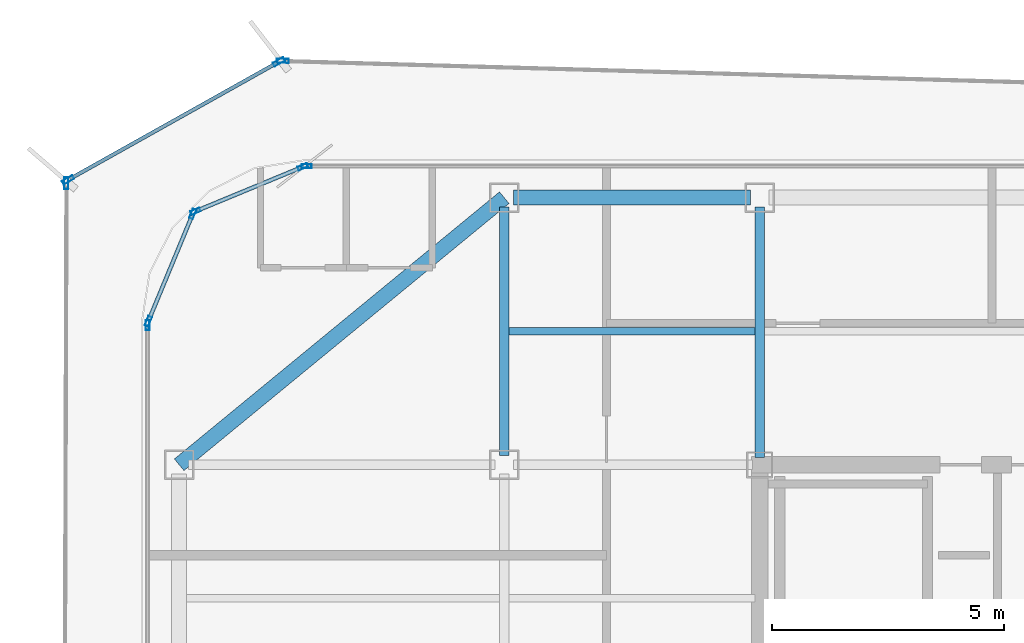
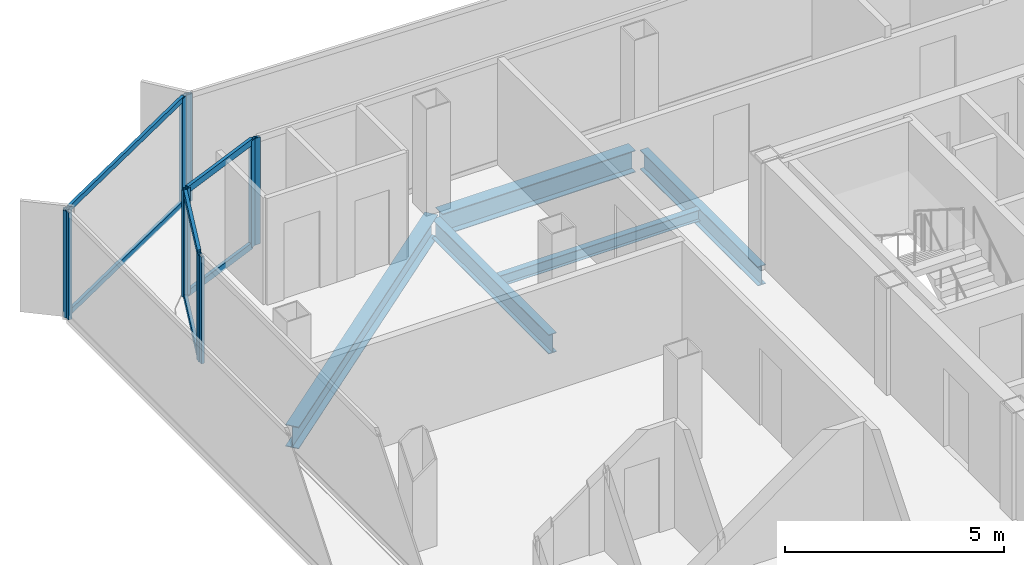
# One storey, part 6 of 14: 16 members, 5 beams, 7 elements without a shape of their own.
"""IFC4 building model written with IfcOpenShell, lengths in metres."""

from ifc_helpers import new_model, si_unit, direction, frame, origin, origin_2d, place, context, subcontext, project, spatial, hollow_rectangle, i_section, extrude, source, transform, mapped, material, layer, layer_set, material_profile, profile_set, type_object, element, aggregate, save


model = new_model("IFC4")

# Units and contexts
model_context = context("Model", 3, precision=1e-05, world=origin(), true_north=direction((0.0, 1.0)))
body_context = subcontext(model_context, "Body", "Model", "MODEL_VIEW")
ifc_project = project(units=[si_unit("LENGTHUNIT", "METRE"), si_unit("AREAUNIT", "SQUARE_METRE"), si_unit("VOLUMEUNIT", "CUBIC_METRE"), si_unit("PLANEANGLEUNIT", "RADIAN"), si_unit("MASSUNIT", "GRAM", prefix="KILO")], contexts=[model_context])

# Site, building, storey
site_placement = place(None, origin())
site = spatial("IfcSite", under=ifc_project, at=site_placement, CompositionType="ELEMENT")
building_placement = place(site_placement, origin())
building = spatial("IfcBuilding", under=site, at=building_placement, Name="Kolveth Station Tower", CompositionType="ELEMENT")
storey_placement = place(building_placement, frame((0.0, 0.0, 226.5)))
storey = spatial("IfcBuildingStorey", under=building, at=storey_placement, Name="L64", CompositionType="ELEMENT", Elevation=226.5)

# Beams
ifc_material_1 = material(Name="Steel S355", Category="steel")
ifc_material_profile_1 = material_profile(ifc_material_1, i_section(OverallWidth=0.323974609375, OverallDepth=0.611083984375, WebThickness=0.0126953125, FlangeThickness=0.01904296875, at=origin_2d()), Name="W610x155")
ifc_profile_set_1 = profile_set([ifc_material_profile_1], Name="Steel S355")
beam_type_1 = type_object("IfcBeamType", Name="Beam_SP2", PredefinedType="SPANDREL", material=ifc_profile_set_1)
shared_shape_1 = source(origin(), body_context, "Body", "SweptSolid", [
    extrude(i_section(OverallWidth=0.323974609375, OverallDepth=0.611083984375, WebThickness=0.0126953125, FlangeThickness=0.01904296875, at=origin_2d()), origin(), (0.0, 0.0, 1.0), 9.058837890625),
])
beam_1_placement = place(storey_placement, frame((13.0, 34.5, -0.525390625), z_axis=(-0.772726254525, -0.63473942336, 0.0), x_axis=(0.63473942336, -0.772726254525, 0.0)))
element("IfcBeam", 1, at=beam_1_placement, inside=storey, type_object=beam_type_1, Name="L64 Corner Edge Girder BM-L64-CNR-NW", PredefinedType="SPANDREL", context=body_context, shape_type="MappedRepresentation", body=[
    mapped(shared_shape_1, transform((0.0, 0.0, 0.0), x_axis=(1.0, 0.0, 0.0), y_axis=(0.0, 1.0, 0.0), z_axis=(0.0, 0.0, 1.0), scale=1.0)),
])
shared_shape_2 = source(origin(), body_context, "Body", "SweptSolid", [
    extrude(i_section(OverallWidth=0.323974609375, OverallDepth=0.611083984375, WebThickness=0.0126953125, FlangeThickness=0.01904296875, at=origin_2d()), origin(), (0.0, 0.0, 1.0), 5.10009765625),
])
beam_2_placement = place(storey_placement, frame((13.199951171875, 34.5, -0.525390625), z_axis=(1.0, 0.0, 0.0), x_axis=(0.0, 1.0, 0.0)))
element("IfcBeam", 2, at=beam_2_placement, inside=storey, type_object=beam_type_1, Name="L64 Perimeter Spandrel BM-L64-PN-1", PredefinedType="SPANDREL", context=body_context, shape_type="MappedRepresentation", body=[
    mapped(shared_shape_2, transform((0.0, 0.0, 0.0), x_axis=(1.0, 0.0, 0.0), y_axis=(0.0, 1.0, 0.0), z_axis=(0.0, 0.0, 1.0), scale=1.0)),
])
ifc_material_profile_2 = material_profile(ifc_material_1, i_section(OverallWidth=0.2099609375, OverallDepth=0.537109375, WebThickness=0.010986328125, FlangeThickness=0.017333984375, at=origin_2d()), Name="W530x101")
ifc_profile_set_2 = profile_set([ifc_material_profile_2], Name="Steel S355")
beam_type_2 = type_object("IfcBeamType", Name="Beam_B6", PredefinedType="BEAM", material=ifc_profile_set_2)
shared_shape_3 = source(origin(), body_context, "Body", "SweptSolid", [
    extrude(i_section(OverallWidth=0.2099609375, OverallDepth=0.537109375, WebThickness=0.010986328125, FlangeThickness=0.017333984375, at=origin_2d()), origin(), (0.0, 0.0, 1.0), 5.35009765625),
])
beam_3_placement = place(storey_placement, frame((13.0, 28.949951171875, -0.488525390625), z_axis=(0.0, 1.0, 0.0), x_axis=(-1.0, 0.0, 0.0)))
element("IfcBeam", 3, at=beam_3_placement, inside=storey, type_object=beam_type_2, Name="L64 Primary Girder BM-L64-GX130-6", PredefinedType="BEAM", context=body_context, shape_type="MappedRepresentation", body=[
    mapped(shared_shape_3, transform((0.0, 0.0, 0.0), x_axis=(1.0, 0.0, 0.0), y_axis=(0.0, 1.0, 0.0), z_axis=(0.0, 0.0, 1.0), scale=1.0)),
])
shared_shape_4 = source(origin(), body_context, "Body", "SweptSolid", [
    extrude(i_section(OverallWidth=0.2099609375, OverallDepth=0.537109375, WebThickness=0.010986328125, FlangeThickness=0.017333984375, at=origin_2d()), origin(), (0.0, 0.0, 1.0), 5.39013671875),
])
beam_4_placement = place(storey_placement, frame((18.5, 28.909912109375, -0.488525390625), z_axis=(0.0, 1.0, 0.0), x_axis=(-1.0, 0.0, 0.0)))
element("IfcBeam", 4, at=beam_4_placement, inside=storey, type_object=beam_type_2, Name="L64 Primary Girder BM-L64-GX185-6", PredefinedType="BEAM", context=body_context, shape_type="MappedRepresentation", body=[
    mapped(shared_shape_4, transform((0.0, 0.0, 0.0), x_axis=(1.0, 0.0, 0.0), y_axis=(0.0, 1.0, 0.0), z_axis=(0.0, 0.0, 1.0), scale=1.0)),
])
ifc_material_profile_3 = material_profile(ifc_material_1, i_section(OverallWidth=0.1650390625, OverallDepth=0.31005859375, WebThickness=0.005859375, FlangeThickness=0.009765625, at=origin_2d()), Name="W310x39")
ifc_profile_set_3 = profile_set([ifc_material_profile_3], Name="Steel S355")
beam_type_3 = type_object("IfcBeamType", Name="Beam_J3", PredefinedType="JOIST", material=ifc_profile_set_3)
shared_shape_5 = source(origin(), body_context, "Body", "SweptSolid", [
    extrude(i_section(OverallWidth=0.1650390625, OverallDepth=0.31005859375, WebThickness=0.005859375, FlangeThickness=0.009765625, at=origin_2d()), origin(), (0.0, 0.0, 1.0), 5.2939453125),
])
beam_5_placement = place(storey_placement, frame((13.10302734375, 31.625, -0.375), z_axis=(1.0, 0.0, 0.0), x_axis=(0.0, 1.0, 0.0)))
element("IfcBeam", 5, at=beam_5_placement, inside=storey, type_object=beam_type_3, Name="L64 Secondary Joist JST-L64-2-6", PredefinedType="JOIST", context=body_context, shape_type="MappedRepresentation", body=[
    mapped(shared_shape_5, transform((0.0, 0.0, 0.0), x_axis=(1.0, 0.0, 0.0), y_axis=(0.0, 1.0, 0.0), z_axis=(0.0, 0.0, 1.0), scale=1.0)),
])

# Curtain wall, member
ifc_material_2 = material(Name="Black anodized aluminium 6063-T6 and dark solar glass", Category="aluminium")
ifc_layer_1 = layer(ifc_material_2, 0.159912109375)
ifc_layer_set_1 = layer_set([ifc_layer_1], Name="Black anodized aluminium 6063-T6 and dark solar glass")
curtain_wall_type_1 = type_object("IfcCurtainWallType", Name="OUTER SKIN CW-OS", PredefinedType="NOTDEFINED", material=ifc_layer_set_1)
curtain_wall_1_placement = place(storey_placement, origin())
curtain_wall_1 = element("IfcCurtainWall", 6, at=curtain_wall_1_placement, inside=storey, type_object=curtain_wall_type_1, Name="L64 Outer Ventilated Skin Curtain Wall 4", PredefinedType="NOTDEFINED")
ifc_material_3 = material(Name="Black anodized aluminium 6063-T6", Category="aluminium")
ifc_material_profile_4 = material_profile(ifc_material_3, hollow_rectangle(XDim=0.090087890625, YDim=0.260009765625, WallThickness=0.0048828125, at=origin_2d()), Name="ALU-90x260x5")
ifc_profile_set_4 = profile_set([ifc_material_profile_4], Name="Black anodized aluminium 6063-T6")
member_type_1 = type_object("IfcMemberType", Name="FIN MULLION ML-OS", PredefinedType="MULLION", material=ifc_profile_set_4)
shared_shape_6 = source(origin(), body_context, "Body", "SweptSolid", [
    extrude(hollow_rectangle(XDim=0.090087890625, YDim=0.260009765625, WallThickness=0.0048828125, at=origin_2d()), origin(), (0.0, 0.0, 1.0), 2.989990234375),
])
member_1_placement = place(storey_placement, frame((8.233642578125, 37.447021484375, 0.0), z_axis=(0.0, 0.0, 1.0), x_axis=(-0.028562025892, -0.999592022115, 0.0)))
member_1 = element("IfcMember", 7, at=member_1_placement, type_object=member_type_1, Name="CW-OS mullion 2", PredefinedType="MULLION", context=body_context, shape_type="MappedRepresentation", body=[
    mapped(shared_shape_6, transform((0.0, 0.0, 0.0), x_axis=(1.0, 0.0, 0.0), y_axis=(0.0, 1.0, 0.0), z_axis=(0.0, 0.0, 1.0), scale=1.0)),
])
aggregate(curtain_wall_1, [member_1])

# Curtain wall, members
curtain_wall_2_placement = place(storey_placement, origin())
curtain_wall_2 = element("IfcCurtainWall", 8, at=curtain_wall_2_placement, inside=storey, type_object=curtain_wall_type_1, Name="L64 Outer Ventilated Skin Curtain Wall 5", PredefinedType="NOTDEFINED")
member_2_placement = place(storey_placement, frame((8.1494140625, 37.42626953125, 0.0), z_axis=(0.0, 0.0, 1.0), x_axis=(0.488700538838, -0.872451593694, 0.0)))
member_2 = element("IfcMember", 9, at=member_2_placement, type_object=member_type_1, Name="CW-OS mullion 1", PredefinedType="MULLION", context=body_context, shape_type="MappedRepresentation", body=[
    mapped(shared_shape_6, transform((0.0, 0.0, 0.0), x_axis=(1.0, 0.0, 0.0), y_axis=(0.0, 1.0, 0.0), z_axis=(0.0, 0.0, 1.0), scale=1.0)),
])
member_3_placement = place(storey_placement, frame((3.607666015625, 34.882080078125, 0.0), z_axis=(0.0, 0.0, 1.0), x_axis=(0.488700538838, -0.872451593694, 0.0)))
member_3 = element("IfcMember", 10, at=member_3_placement, type_object=member_type_1, Name="CW-OS mullion 2", PredefinedType="MULLION", context=body_context, shape_type="MappedRepresentation", body=[
    mapped(shared_shape_6, transform((0.0, 0.0, 0.0), x_axis=(1.0, 0.0, 0.0), y_axis=(0.0, 1.0, 0.0), z_axis=(0.0, 0.0, 1.0), scale=1.0)),
])

# Curtain wall, member
curtain_wall_3_placement = place(storey_placement, origin())
curtain_wall_3 = element("IfcCurtainWall", 11, at=curtain_wall_3_placement, inside=storey, type_object=curtain_wall_type_1, Name="L64 Outer Ventilated Skin Curtain Wall 6", PredefinedType="NOTDEFINED")
member_4_placement = place(storey_placement, frame((3.568115234375, 34.815185546875, 0.0), z_axis=(0.0, 0.0, 1.0), x_axis=(0.999995086871, -0.003134682282, 0.0)))
member_4 = element("IfcMember", 12, at=member_4_placement, type_object=member_type_1, Name="CW-OS mullion 1", PredefinedType="MULLION", context=body_context, shape_type="MappedRepresentation", body=[
    mapped(shared_shape_6, transform((0.0, 0.0, 0.0), x_axis=(1.0, 0.0, 0.0), y_axis=(0.0, 1.0, 0.0), z_axis=(0.0, 0.0, 1.0), scale=1.0)),
])
aggregate(curtain_wall_3, [member_4])

ifc_material_4 = material(Name="Aluminium 6063-T6 and triple low-E dark glass", Category="aluminium")
ifc_layer_2 = layer(ifc_material_4, 0.199951171875)
ifc_layer_set_2 = layer_set([ifc_layer_2], Name="Aluminium 6063-T6 and triple low-E dark glass")
curtain_wall_type_2 = type_object("IfcCurtainWallType", Name="CurtainWall_CW-Z3", PredefinedType="NOTDEFINED", material=ifc_layer_set_2)
curtain_wall_4_placement = place(storey_placement, origin())
curtain_wall_4 = element("IfcCurtainWall", 13, at=curtain_wall_4_placement, inside=storey, type_object=curtain_wall_type_2, Name="L64 Inner Thermal Curtain Wall 6", PredefinedType="NOTDEFINED")
ifc_material_profile_5 = material_profile(ifc_material_3, hollow_rectangle(XDim=0.0849609375, YDim=0.215087890625, WallThickness=0.0048828125, at=origin_2d()), Name="ALU-85x215x5")
ifc_profile_set_5 = profile_set([ifc_material_profile_5], Name="Black anodized aluminium 6063-T6")
member_type_2 = type_object("IfcMemberType", Name="Mullion_ML3", PredefinedType="MULLION", material=ifc_profile_set_5)
shared_shape_7 = source(origin(), body_context, "Body", "SweptSolid", [
    extrude(hollow_rectangle(XDim=0.0849609375, YDim=0.215087890625, WallThickness=0.0048828125, at=origin_2d()), origin(), (0.0, 0.0, 1.0), 2.97998046875),
])
member_5_placement = place(storey_placement, frame((8.742431640625, 35.179931640625, 0.0), z_axis=(0.0, 0.0, 1.0), x_axis=(0.0, -1.0, 0.0)))
member_5 = element("IfcMember", 14, at=member_5_placement, type_object=member_type_2, Name="CW-Z3 mullion 2", PredefinedType="MULLION", context=body_context, shape_type="MappedRepresentation", body=[
    mapped(shared_shape_7, transform((0.0, 0.0, 0.0), x_axis=(1.0, 0.0, 0.0), y_axis=(0.0, 1.0, 0.0), z_axis=(0.0, 0.0, 1.0), scale=1.0)),
])
aggregate(curtain_wall_4, [member_5])

# Curtain wall, members
curtain_wall_5_placement = place(storey_placement, origin())
curtain_wall_5 = element("IfcCurtainWall", 15, at=curtain_wall_5_placement, inside=storey, type_object=curtain_wall_type_2, Name="L64 Inner Thermal Curtain Wall 7", PredefinedType="NOTDEFINED")
member_6_placement = place(storey_placement, frame((8.66064453125, 35.163818359375, 0.0), z_axis=(0.0, 0.0, 1.0), x_axis=(0.382693194181, -0.923875488975, 0.0)))
member_6 = element("IfcMember", 16, at=member_6_placement, type_object=member_type_2, Name="CW-Z3 mullion 1", PredefinedType="MULLION", context=body_context, shape_type="MappedRepresentation", body=[
    mapped(shared_shape_7, transform((0.0, 0.0, 0.0), x_axis=(1.0, 0.0, 0.0), y_axis=(0.0, 1.0, 0.0), z_axis=(0.0, 0.0, 1.0), scale=1.0)),
])
member_7_placement = place(storey_placement, frame((6.349365234375, 34.206298828125, 0.0), z_axis=(0.0, 0.0, 1.0), x_axis=(0.382693194181, -0.923875488975, 0.0)))
member_7 = element("IfcMember", 17, at=member_7_placement, type_object=member_type_2, Name="CW-Z3 mullion 2", PredefinedType="MULLION", context=body_context, shape_type="MappedRepresentation", body=[
    mapped(shared_shape_7, transform((0.0, 0.0, 0.0), x_axis=(1.0, 0.0, 0.0), y_axis=(0.0, 1.0, 0.0), z_axis=(0.0, 0.0, 1.0), scale=1.0)),
])

curtain_wall_6_placement = place(storey_placement, origin())
curtain_wall_6 = element("IfcCurtainWall", 18, at=curtain_wall_6_placement, inside=storey, type_object=curtain_wall_type_2, Name="L64 Inner Thermal Curtain Wall 8", PredefinedType="NOTDEFINED")
member_8_placement = place(storey_placement, frame((6.293701171875, 34.150634765625, 0.0), z_axis=(0.0, 0.0, 1.0), x_axis=(0.923875488975, -0.382693194181, 0.0)))
member_8 = element("IfcMember", 19, at=member_8_placement, type_object=member_type_2, Name="CW-Z3 mullion 1", PredefinedType="MULLION", context=body_context, shape_type="MappedRepresentation", body=[
    mapped(shared_shape_7, transform((0.0, 0.0, 0.0), x_axis=(1.0, 0.0, 0.0), y_axis=(0.0, 1.0, 0.0), z_axis=(0.0, 0.0, 1.0), scale=1.0)),
])
member_9_placement = place(storey_placement, frame((5.336181640625, 31.83935546875, 0.0), z_axis=(0.0, 0.0, 1.0), x_axis=(0.923875488975, -0.382693194181, 0.0)))
member_9 = element("IfcMember", 20, at=member_9_placement, type_object=member_type_2, Name="CW-Z3 mullion 2", PredefinedType="MULLION", context=body_context, shape_type="MappedRepresentation", body=[
    mapped(shared_shape_7, transform((0.0, 0.0, 0.0), x_axis=(1.0, 0.0, 0.0), y_axis=(0.0, 1.0, 0.0), z_axis=(0.0, 0.0, 1.0), scale=1.0)),
])

# Curtain wall, member
curtain_wall_7_placement = place(storey_placement, origin())
curtain_wall_7 = element("IfcCurtainWall", 21, at=curtain_wall_7_placement, inside=storey, type_object=curtain_wall_type_2, Name="L64 Inner Thermal Curtain Wall 9", PredefinedType="NOTDEFINED")
member_10_placement = place(storey_placement, frame((5.320068359375, 31.757568359375, 0.0), z_axis=(0.0, 0.0, 1.0), x_axis=(1.0, 0.0, 0.0)))
member_10 = element("IfcMember", 22, at=member_10_placement, type_object=member_type_2, Name="CW-Z3 mullion 1", PredefinedType="MULLION", context=body_context, shape_type="MappedRepresentation", body=[
    mapped(shared_shape_7, transform((0.0, 0.0, 0.0), x_axis=(1.0, 0.0, 0.0), y_axis=(0.0, 1.0, 0.0), z_axis=(0.0, 0.0, 1.0), scale=1.0)),
])
aggregate(curtain_wall_7, [member_10])

# Member
ifc_material_profile_6 = material_profile(ifc_material_3, hollow_rectangle(XDim=0.0849609375, YDim=0.179931640625, WallThickness=0.0048828125, at=origin_2d()), Name="ALU-85x180x5")
ifc_profile_set_6 = profile_set([ifc_material_profile_6], Name="Black anodized aluminium 6063-T6")
member_type_3 = type_object("IfcMemberType", Name="Transom_TR3", PredefinedType="USERDEFINED", material=ifc_profile_set_6)
shared_shape_8 = source(origin(), body_context, "Body", "SweptSolid", [
    extrude(hollow_rectangle(XDim=0.0849609375, YDim=0.179931640625, WallThickness=0.0048828125, at=origin_2d()), origin(), (0.0, 0.0, 1.0), 2.417236328125),
])
member_11_placement = place(storey_placement, frame((8.62158203125, 35.1474609375, 0.04248046875), z_axis=(-0.923872799448, -0.382699687013, 0.0), x_axis=(0.382699687013, -0.923872799448, 0.0)))
member_11 = element("IfcMember", 23, at=member_11_placement, type_object=member_type_3, Name="CW-Z3 transom 1.1", ObjectType="TRANSOM", PredefinedType="USERDEFINED", context=body_context, shape_type="MappedRepresentation", body=[
    mapped(shared_shape_8, transform((0.0, 0.0, 0.0), x_axis=(1.0, 0.0, 0.0), y_axis=(0.0, 1.0, 0.0), z_axis=(0.0, 0.0, 1.0), scale=1.0)),
])

member_12_placement = place(storey_placement, frame((8.62158203125, 35.1474609375, 2.9375), z_axis=(-0.923872799448, -0.382699687013, 0.0), x_axis=(0.382699687013, -0.923872799448, 0.0)))
member_12 = element("IfcMember", 24, at=member_12_placement, type_object=member_type_3, Name="CW-Z3 transom 1.2", ObjectType="TRANSOM", PredefinedType="USERDEFINED", context=body_context, shape_type="MappedRepresentation", body=[
    mapped(shared_shape_8, transform((0.0, 0.0, 0.0), x_axis=(1.0, 0.0, 0.0), y_axis=(0.0, 1.0, 0.0), z_axis=(0.0, 0.0, 1.0), scale=1.0)),
])

aggregate(curtain_wall_5, [member_6, member_7, member_11, member_12])

member_13_placement = place(storey_placement, frame((6.277587890625, 34.111572265625, 0.04248046875), z_axis=(-0.382699687013, -0.923872799448, 0.0), x_axis=(0.923872799448, -0.382699687013, 0.0)))
member_13 = element("IfcMember", 25, at=member_13_placement, type_object=member_type_3, Name="CW-Z3 transom 1.1", ObjectType="TRANSOM", PredefinedType="USERDEFINED", context=body_context, shape_type="MappedRepresentation", body=[
    mapped(shared_shape_8, transform((0.0, 0.0, 0.0), x_axis=(1.0, 0.0, 0.0), y_axis=(0.0, 1.0, 0.0), z_axis=(0.0, 0.0, 1.0), scale=1.0)),
])

member_14_placement = place(storey_placement, frame((6.277587890625, 34.111572265625, 2.9375), z_axis=(-0.382699687013, -0.923872799448, 0.0), x_axis=(0.923872799448, -0.382699687013, 0.0)))
member_14 = element("IfcMember", 26, at=member_14_placement, type_object=member_type_3, Name="CW-Z3 transom 1.2", ObjectType="TRANSOM", PredefinedType="USERDEFINED", context=body_context, shape_type="MappedRepresentation", body=[
    mapped(shared_shape_8, transform((0.0, 0.0, 0.0), x_axis=(1.0, 0.0, 0.0), y_axis=(0.0, 1.0, 0.0), z_axis=(0.0, 0.0, 1.0), scale=1.0)),
])

aggregate(curtain_wall_6, [member_8, member_9, member_13, member_14])

ifc_material_profile_7 = material_profile(ifc_material_3, hollow_rectangle(XDim=0.080078125, YDim=0.14990234375, WallThickness=0.0048828125, at=origin_2d()), Name="ALU-80x150x5")
ifc_profile_set_7 = profile_set([ifc_material_profile_7], Name="Black anodized aluminium 6063-T6")
member_type_4 = type_object("IfcMemberType", Name="Transom_TR-OS", PredefinedType="USERDEFINED", material=ifc_profile_set_7)
shared_shape_9 = source(origin(), body_context, "Body", "SweptSolid", [
    extrude(hollow_rectangle(XDim=0.080078125, YDim=0.14990234375, WallThickness=0.0048828125, at=origin_2d()), origin(), (0.0, 0.0, 1.0), 5.11572265625),
])
member_15_placement = place(storey_placement, frame((8.110107421875, 37.404296875, 0.0400390625), z_axis=(-0.872463695969, -0.488678932651, 0.0), x_axis=(0.488678932651, -0.872463695969, 0.0)))
member_15 = element("IfcMember", 27, at=member_15_placement, type_object=member_type_4, Name="CW-OS transom 1.1", ObjectType="TRANSOM", PredefinedType="USERDEFINED", context=body_context, shape_type="MappedRepresentation", body=[
    mapped(shared_shape_9, transform((0.0, 0.0, 0.0), x_axis=(1.0, 0.0, 0.0), y_axis=(0.0, 1.0, 0.0), z_axis=(0.0, 0.0, 1.0), scale=1.0)),
])

member_16_placement = place(storey_placement, frame((8.110107421875, 37.404296875, 2.949951171875), z_axis=(-0.872463695969, -0.488678932651, 0.0), x_axis=(0.488678932651, -0.872463695969, 0.0)))
member_16 = element("IfcMember", 28, at=member_16_placement, type_object=member_type_4, Name="CW-OS transom 1.2", ObjectType="TRANSOM", PredefinedType="USERDEFINED", context=body_context, shape_type="MappedRepresentation", body=[
    mapped(shared_shape_9, transform((0.0, 0.0, 0.0), x_axis=(1.0, 0.0, 0.0), y_axis=(0.0, 1.0, 0.0), z_axis=(0.0, 0.0, 1.0), scale=1.0)),
])

aggregate(curtain_wall_2, [member_2, member_3, member_15, member_16])

save(model, "model.ifc")
